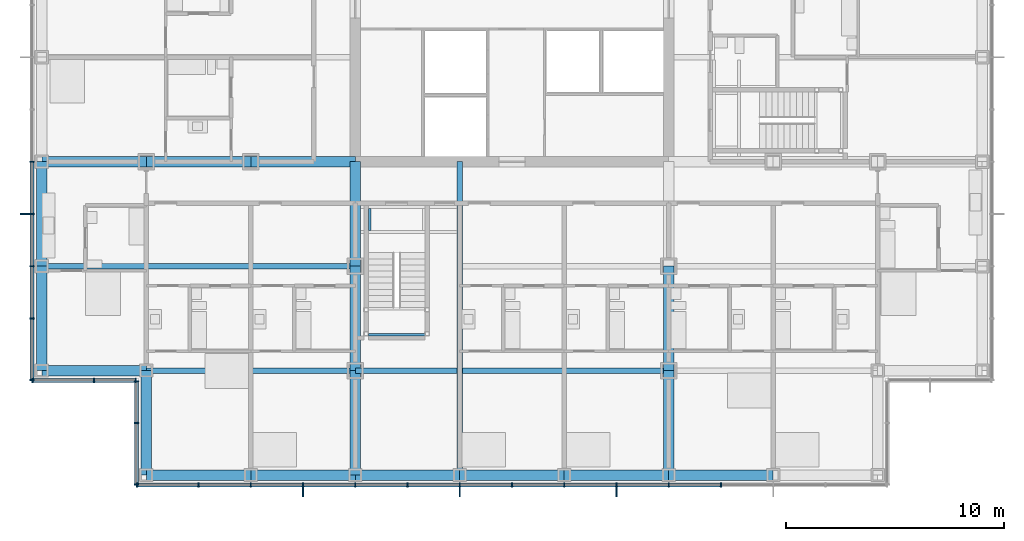
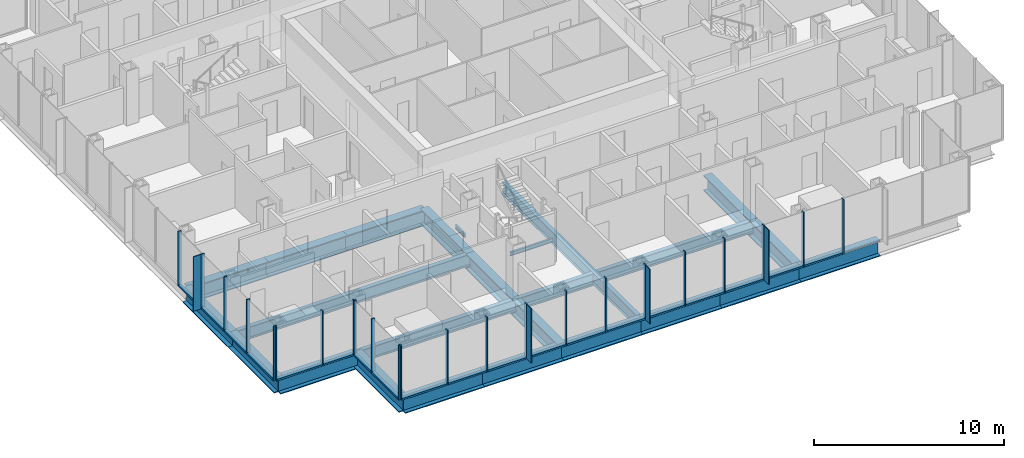
# One storey, part 6 of 22: 46 members, 25 beams, 4 elements without a shape of their own.
"""IFC4 building model written with IfcOpenShell, lengths in metres."""

from ifc_helpers import new_model, si_unit, direction, frame, origin, origin_2d, place, context, subcontext, project, spatial, rectangle, i_section, extrude, material, material_profile, profile_set, type_object, element, aggregate, save


model = new_model("IFC4")

# Units and contexts
model_context = context("Model", 3, precision=1e-05, world=origin(), true_north=direction((0.0, 1.0)))
body_context = subcontext(model_context, "Body", "Model", "MODEL_VIEW")
ifc_project = project(units=[si_unit("LENGTHUNIT", "METRE"), si_unit("AREAUNIT", "SQUARE_METRE"), si_unit("VOLUMEUNIT", "CUBIC_METRE"), si_unit("PLANEANGLEUNIT", "RADIAN"), si_unit("MASSUNIT", "GRAM", prefix="KILO")], contexts=[model_context])

# Site, building, storey
site_placement = place(None, origin())
site = spatial("IfcSite", under=ifc_project, at=site_placement, CompositionType="ELEMENT")
building_placement = place(site_placement, origin())
building = spatial("IfcBuilding", under=site, at=building_placement, Name="Kvirike Care Tower", CompositionType="ELEMENT")
storey_placement = place(building_placement, frame((0.0, 0.0, 72.5)))
storey = spatial("IfcBuildingStorey", under=building, at=storey_placement, Name="L19", CompositionType="ELEMENT", Elevation=72.5)

# Curtain wall, member
ifc_material_1 = material(Name="Anodised aluminium stick system", Category="aluminium")
curtain_wall_type = type_object("IfcCurtainWallType", Name="CW-A STICK CURTAIN WALL", PredefinedType="NOTDEFINED", material=ifc_material_1)
curtain_wall_1_placement = place(storey_placement, origin())
curtain_wall_1 = element("IfcCurtainWall", 1, at=curtain_wall_1_placement, inside=storey, type_object=curtain_wall_type, Name="Curtain wall L19 face 1", PredefinedType="NOTDEFINED")
ifc_material_2 = material(Name="Bronze anodised aluminium fin", Category="aluminium")
ifc_material_profile_1 = material_profile(ifc_material_2, rectangle(XDim=0.050048828125, YDim=0.449951171875, at=origin_2d()), Name="BRONZE FIN 450")
ifc_profile_set_1 = profile_set([ifc_material_profile_1], Name="Bronze anodised aluminium fin")
member_type_1 = type_object("IfcMemberType", Name="BRONZE FIN 450", PredefinedType="USERDEFINED", material=ifc_profile_set_1)
member_1_placement = place(storey_placement, frame((-0.77490234375, 26.39990234375, 0.0), z_axis=(0.0, 0.0, 1.0), x_axis=(0.0, -1.0, 0.0)))
member_1 = element("IfcMember", 2, at=member_1_placement, type_object=member_type_1, Name="Bronze fin L19 face 1.12", ObjectType="FIN", PredefinedType="USERDEFINED", context=body_context, shape_type="SweptSolid", body=[
    extrude(rectangle(XDim=0.050048828125, YDim=0.449951171875, at=origin_2d()), origin(), (0.0, 0.0, 1.0), 3.5),
])

# Curtain wall, members
curtain_wall_2_placement = place(storey_placement, origin())
curtain_wall_2 = element("IfcCurtainWall", 3, at=curtain_wall_2_placement, inside=storey, type_object=curtain_wall_type, Name="Curtain wall L19 face 4", PredefinedType="NOTDEFINED")
member_2_placement = place(storey_placement, frame((12.0, 13.625, 0.0), z_axis=(0.0, 0.0, 1.0), x_axis=(1.0, 0.0, 0.0)))
member_2 = element("IfcMember", 4, at=member_2_placement, type_object=member_type_1, Name="Bronze fin L19 face 4.4", ObjectType="FIN", PredefinedType="USERDEFINED", context=body_context, shape_type="SweptSolid", body=[
    extrude(rectangle(XDim=0.050048828125, YDim=0.449951171875, at=origin_2d()), origin(), (0.0, 0.0, 1.0), 3.5),
])
member_3_placement = place(storey_placement, frame((19.199951171875, 13.625, 0.0), z_axis=(0.0, 0.0, 1.0), x_axis=(1.0, 0.0, 0.0)))
member_3 = element("IfcMember", 5, at=member_3_placement, type_object=member_type_1, Name="Bronze fin L19 face 4.7", ObjectType="FIN", PredefinedType="USERDEFINED", context=body_context, shape_type="SweptSolid", body=[
    extrude(rectangle(XDim=0.050048828125, YDim=0.449951171875, at=origin_2d()), origin(), (0.0, 0.0, 1.0), 3.5),
])
member_4_placement = place(storey_placement, frame((26.39990234375, 13.625, 0.0), z_axis=(0.0, 0.0, 1.0), x_axis=(1.0, 0.0, 0.0)))
member_4 = element("IfcMember", 6, at=member_4_placement, type_object=member_type_1, Name="Bronze fin L19 face 4.10", ObjectType="FIN", PredefinedType="USERDEFINED", context=body_context, shape_type="SweptSolid", body=[
    extrude(rectangle(XDim=0.050048828125, YDim=0.449951171875, at=origin_2d()), origin(), (0.0, 0.0, 1.0), 3.5),
])

# Member
ifc_material_3 = material(Name="Bronze anodised aluminium mullion", Category="aluminium")
ifc_material_profile_2 = material_profile(ifc_material_3, rectangle(XDim=0.06494140625, YDim=0.199951171875, at=origin_2d()), Name="CW-A MULLION 65x200")
ifc_profile_set_2 = profile_set([ifc_material_profile_2], Name="Bronze anodised aluminium mullion")
member_type_2 = type_object("IfcMemberType", Name="CW-A MULLION 65x200", PredefinedType="MULLION", material=ifc_profile_set_2)
member_5_placement = place(storey_placement, frame((-0.449951171875, 28.800048828125, 0.0), z_axis=(0.0, 0.0, 1.0), x_axis=(0.0, -1.0, 0.0)))
member_5 = element("IfcMember", 7, at=member_5_placement, type_object=member_type_2, Name="CW-A mullion L19 face 1.11", PredefinedType="MULLION", context=body_context, shape_type="SweptSolid", body=[
    extrude(rectangle(XDim=0.06494140625, YDim=0.199951171875, at=origin_2d()), origin(), (0.0, 0.0, 1.0), 3.5),
])

member_6_placement = place(storey_placement, frame((-0.449951171875, 26.39990234375, 0.0), z_axis=(0.0, 0.0, 1.0), x_axis=(0.0, -1.0, 0.0)))
member_6 = element("IfcMember", 8, at=member_6_placement, type_object=member_type_2, Name="CW-A mullion L19 face 1.12", PredefinedType="MULLION", context=body_context, shape_type="SweptSolid", body=[
    extrude(rectangle(XDim=0.06494140625, YDim=0.199951171875, at=origin_2d()), origin(), (0.0, 0.0, 1.0), 3.5),
])

member_7_placement = place(storey_placement, frame((-0.449951171875, 24.0, 0.0), z_axis=(0.0, 0.0, 1.0), x_axis=(0.0, -1.0, 0.0)))
member_7 = element("IfcMember", 9, at=member_7_placement, type_object=member_type_2, Name="CW-A mullion L19 face 1.13", PredefinedType="MULLION", context=body_context, shape_type="SweptSolid", body=[
    extrude(rectangle(XDim=0.06494140625, YDim=0.199951171875, at=origin_2d()), origin(), (0.0, 0.0, 1.0), 3.5),
])

member_8_placement = place(storey_placement, frame((-0.449951171875, 21.60009765625, 0.0), z_axis=(0.0, 0.0, 1.0), x_axis=(0.0, -1.0, 0.0)))
member_8 = element("IfcMember", 10, at=member_8_placement, type_object=member_type_2, Name="CW-A mullion L19 face 1.14", PredefinedType="MULLION", context=body_context, shape_type="SweptSolid", body=[
    extrude(rectangle(XDim=0.06494140625, YDim=0.199951171875, at=origin_2d()), origin(), (0.0, 0.0, 1.0), 3.5),
])

member_9_placement = place(storey_placement, frame((-0.449951171875, 18.782470703125, 0.0), z_axis=(0.0, 0.0, 1.0), x_axis=(0.0, -1.0, 0.0)))
member_9 = element("IfcMember", 11, at=member_9_placement, type_object=member_type_2, Name="CW-A mullion L19 face 1.15", PredefinedType="MULLION", context=body_context, shape_type="SweptSolid", body=[
    extrude(rectangle(XDim=0.06494140625, YDim=0.199951171875, at=origin_2d()), origin(), (0.0, 0.0, 1.0), 3.5),
])

# Curtain wall, members
curtain_wall_3_placement = place(storey_placement, origin())
curtain_wall_3 = element("IfcCurtainWall", 12, at=curtain_wall_3_placement, inside=storey, type_object=curtain_wall_type, Name="Curtain wall L19 face 2", PredefinedType="NOTDEFINED")
member_10_placement = place(storey_placement, frame((-0.41748046875, 18.75, 0.0), z_axis=(0.0, 0.0, 1.0), x_axis=(1.0, 0.0, 0.0)))
member_10 = element("IfcMember", 13, at=member_10_placement, type_object=member_type_2, Name="CW-A mullion L19 face 2.1", PredefinedType="MULLION", context=body_context, shape_type="SweptSolid", body=[
    extrude(rectangle(XDim=0.06494140625, YDim=0.199951171875, at=origin_2d()), origin(), (0.0, 0.0, 1.0), 3.5),
])
member_11_placement = place(storey_placement, frame((2.39990234375, 18.75, 0.0), z_axis=(0.0, 0.0, 1.0), x_axis=(1.0, 0.0, 0.0)))
member_11 = element("IfcMember", 14, at=member_11_placement, type_object=member_type_2, Name="CW-A mullion L19 face 2.2", PredefinedType="MULLION", context=body_context, shape_type="SweptSolid", body=[
    extrude(rectangle(XDim=0.06494140625, YDim=0.199951171875, at=origin_2d()), origin(), (0.0, 0.0, 1.0), 3.5),
])
member_12_placement = place(storey_placement, frame((4.3173828125, 18.75, 0.0), z_axis=(0.0, 0.0, 1.0), x_axis=(1.0, 0.0, 0.0)))
member_12 = element("IfcMember", 15, at=member_12_placement, type_object=member_type_2, Name="CW-A mullion L19 face 2.3", PredefinedType="MULLION", context=body_context, shape_type="SweptSolid", body=[
    extrude(rectangle(XDim=0.06494140625, YDim=0.199951171875, at=origin_2d()), origin(), (0.0, 0.0, 1.0), 3.5),
])

curtain_wall_4_placement = place(storey_placement, origin())
curtain_wall_4 = element("IfcCurtainWall", 16, at=curtain_wall_4_placement, inside=storey, type_object=curtain_wall_type, Name="Curtain wall L19 face 3", PredefinedType="NOTDEFINED")
member_13_placement = place(storey_placement, frame((4.35009765625, 18.717529296875, 0.0), z_axis=(0.0, 0.0, 1.0), x_axis=(0.0, -1.0, 0.0)))
member_13 = element("IfcMember", 17, at=member_13_placement, type_object=member_type_2, Name="CW-A mullion L19 face 3.1", PredefinedType="MULLION", context=body_context, shape_type="SweptSolid", body=[
    extrude(rectangle(XDim=0.06494140625, YDim=0.199951171875, at=origin_2d()), origin(), (0.0, 0.0, 1.0), 3.5),
])
member_14_placement = place(storey_placement, frame((4.35009765625, 16.800048828125, 0.0), z_axis=(0.0, 0.0, 1.0), x_axis=(0.0, -1.0, 0.0)))
member_14 = element("IfcMember", 18, at=member_14_placement, type_object=member_type_2, Name="CW-A mullion L19 face 3.2", PredefinedType="MULLION", context=body_context, shape_type="SweptSolid", body=[
    extrude(rectangle(XDim=0.06494140625, YDim=0.199951171875, at=origin_2d()), origin(), (0.0, 0.0, 1.0), 3.5),
])
member_15_placement = place(storey_placement, frame((4.35009765625, 13.982421875, 0.0), z_axis=(0.0, 0.0, 1.0), x_axis=(0.0, -1.0, 0.0)))
member_15 = element("IfcMember", 19, at=member_15_placement, type_object=member_type_2, Name="CW-A mullion L19 face 3.3", PredefinedType="MULLION", context=body_context, shape_type="SweptSolid", body=[
    extrude(rectangle(XDim=0.06494140625, YDim=0.199951171875, at=origin_2d()), origin(), (0.0, 0.0, 1.0), 3.5),
])

# Member
member_16_placement = place(storey_placement, frame((4.382568359375, 13.949951171875, 0.0), z_axis=(0.0, 0.0, 1.0), x_axis=(1.0, 0.0, 0.0)))
member_16 = element("IfcMember", 20, at=member_16_placement, type_object=member_type_2, Name="CW-A mullion L19 face 4.1", PredefinedType="MULLION", context=body_context, shape_type="SweptSolid", body=[
    extrude(rectangle(XDim=0.06494140625, YDim=0.199951171875, at=origin_2d()), origin(), (0.0, 0.0, 1.0), 3.5),
])

member_17_placement = place(storey_placement, frame((7.199951171875, 13.949951171875, 0.0), z_axis=(0.0, 0.0, 1.0), x_axis=(1.0, 0.0, 0.0)))
member_17 = element("IfcMember", 21, at=member_17_placement, type_object=member_type_2, Name="CW-A mullion L19 face 4.2", PredefinedType="MULLION", context=body_context, shape_type="SweptSolid", body=[
    extrude(rectangle(XDim=0.06494140625, YDim=0.199951171875, at=origin_2d()), origin(), (0.0, 0.0, 1.0), 3.5),
])

member_18_placement = place(storey_placement, frame((9.60009765625, 13.949951171875, 0.0), z_axis=(0.0, 0.0, 1.0), x_axis=(1.0, 0.0, 0.0)))
member_18 = element("IfcMember", 22, at=member_18_placement, type_object=member_type_2, Name="CW-A mullion L19 face 4.3", PredefinedType="MULLION", context=body_context, shape_type="SweptSolid", body=[
    extrude(rectangle(XDim=0.06494140625, YDim=0.199951171875, at=origin_2d()), origin(), (0.0, 0.0, 1.0), 3.5),
])

member_19_placement = place(storey_placement, frame((12.0, 13.949951171875, 0.0), z_axis=(0.0, 0.0, 1.0), x_axis=(1.0, 0.0, 0.0)))
member_19 = element("IfcMember", 23, at=member_19_placement, type_object=member_type_2, Name="CW-A mullion L19 face 4.4", PredefinedType="MULLION", context=body_context, shape_type="SweptSolid", body=[
    extrude(rectangle(XDim=0.06494140625, YDim=0.199951171875, at=origin_2d()), origin(), (0.0, 0.0, 1.0), 3.5),
])

member_20_placement = place(storey_placement, frame((14.39990234375, 13.949951171875, 0.0), z_axis=(0.0, 0.0, 1.0), x_axis=(1.0, 0.0, 0.0)))
member_20 = element("IfcMember", 24, at=member_20_placement, type_object=member_type_2, Name="CW-A mullion L19 face 4.5", PredefinedType="MULLION", context=body_context, shape_type="SweptSolid", body=[
    extrude(rectangle(XDim=0.06494140625, YDim=0.199951171875, at=origin_2d()), origin(), (0.0, 0.0, 1.0), 3.5),
])

member_21_placement = place(storey_placement, frame((16.800048828125, 13.949951171875, 0.0), z_axis=(0.0, 0.0, 1.0), x_axis=(1.0, 0.0, 0.0)))
member_21 = element("IfcMember", 25, at=member_21_placement, type_object=member_type_2, Name="CW-A mullion L19 face 4.6", PredefinedType="MULLION", context=body_context, shape_type="SweptSolid", body=[
    extrude(rectangle(XDim=0.06494140625, YDim=0.199951171875, at=origin_2d()), origin(), (0.0, 0.0, 1.0), 3.5),
])

member_22_placement = place(storey_placement, frame((19.199951171875, 13.949951171875, 0.0), z_axis=(0.0, 0.0, 1.0), x_axis=(1.0, 0.0, 0.0)))
member_22 = element("IfcMember", 26, at=member_22_placement, type_object=member_type_2, Name="CW-A mullion L19 face 4.7", PredefinedType="MULLION", context=body_context, shape_type="SweptSolid", body=[
    extrude(rectangle(XDim=0.06494140625, YDim=0.199951171875, at=origin_2d()), origin(), (0.0, 0.0, 1.0), 3.5),
])

member_23_placement = place(storey_placement, frame((21.60009765625, 13.949951171875, 0.0), z_axis=(0.0, 0.0, 1.0), x_axis=(1.0, 0.0, 0.0)))
member_23 = element("IfcMember", 27, at=member_23_placement, type_object=member_type_2, Name="CW-A mullion L19 face 4.8", PredefinedType="MULLION", context=body_context, shape_type="SweptSolid", body=[
    extrude(rectangle(XDim=0.06494140625, YDim=0.199951171875, at=origin_2d()), origin(), (0.0, 0.0, 1.0), 3.5),
])

member_24_placement = place(storey_placement, frame((24.0, 13.949951171875, 0.0), z_axis=(0.0, 0.0, 1.0), x_axis=(1.0, 0.0, 0.0)))
member_24 = element("IfcMember", 28, at=member_24_placement, type_object=member_type_2, Name="CW-A mullion L19 face 4.9", PredefinedType="MULLION", context=body_context, shape_type="SweptSolid", body=[
    extrude(rectangle(XDim=0.06494140625, YDim=0.199951171875, at=origin_2d()), origin(), (0.0, 0.0, 1.0), 3.5),
])

member_25_placement = place(storey_placement, frame((26.39990234375, 13.949951171875, 0.0), z_axis=(0.0, 0.0, 1.0), x_axis=(1.0, 0.0, 0.0)))
member_25 = element("IfcMember", 29, at=member_25_placement, type_object=member_type_2, Name="CW-A mullion L19 face 4.10", PredefinedType="MULLION", context=body_context, shape_type="SweptSolid", body=[
    extrude(rectangle(XDim=0.06494140625, YDim=0.199951171875, at=origin_2d()), origin(), (0.0, 0.0, 1.0), 3.5),
])

member_26_placement = place(storey_placement, frame((28.800048828125, 13.949951171875, 0.0), z_axis=(0.0, 0.0, 1.0), x_axis=(1.0, 0.0, 0.0)))
member_26 = element("IfcMember", 30, at=member_26_placement, type_object=member_type_2, Name="CW-A mullion L19 face 4.11", PredefinedType="MULLION", context=body_context, shape_type="SweptSolid", body=[
    extrude(rectangle(XDim=0.06494140625, YDim=0.199951171875, at=origin_2d()), origin(), (0.0, 0.0, 1.0), 3.5),
])

member_27_placement = place(storey_placement, frame((31.199951171875, 13.949951171875, 0.0), z_axis=(0.0, 0.0, 1.0), x_axis=(1.0, 0.0, 0.0)))
member_27 = element("IfcMember", 31, at=member_27_placement, type_object=member_type_2, Name="CW-A mullion L19 face 4.12", PredefinedType="MULLION", context=body_context, shape_type="SweptSolid", body=[
    extrude(rectangle(XDim=0.06494140625, YDim=0.199951171875, at=origin_2d()), origin(), (0.0, 0.0, 1.0), 3.5),
])

ifc_material_4 = material(Name="Bronze anodised aluminium transom", Category="aluminium")
ifc_material_profile_3 = material_profile(ifc_material_4, rectangle(XDim=0.199951171875, YDim=0.10009765625, at=origin_2d()), Name="CW-A TRANSOM 200x100")
ifc_profile_set_3 = profile_set([ifc_material_profile_3], Name="Bronze anodised aluminium transom")
member_type_3 = type_object("IfcMemberType", Name="CW-A TRANSOM 200x100", PredefinedType="USERDEFINED", material=ifc_profile_set_3)
member_28_placement = place(storey_placement, frame((-0.449951171875, 28.767578125, 0.050048828125), z_axis=(0.0, -1.0, 0.0), x_axis=(1.0, 0.0, 0.0)))
member_28 = element("IfcMember", 32, at=member_28_placement, type_object=member_type_3, Name="CW-A sill transom L19 face 1.11", ObjectType="TRANSOM", PredefinedType="USERDEFINED", context=body_context, shape_type="SweptSolid", body=[
    extrude(rectangle(XDim=0.199951171875, YDim=0.10009765625, at=origin_2d()), origin(), (0.0, 0.0, 1.0), 2.3349609375),
])

member_29_placement = place(storey_placement, frame((-0.449951171875, 26.367431640625, 0.050048828125), z_axis=(0.0, -1.0, 0.0), x_axis=(1.0, 0.0, 0.0)))
member_29 = element("IfcMember", 33, at=member_29_placement, type_object=member_type_3, Name="CW-A sill transom L19 face 1.12", ObjectType="TRANSOM", PredefinedType="USERDEFINED", context=body_context, shape_type="SweptSolid", body=[
    extrude(rectangle(XDim=0.199951171875, YDim=0.10009765625, at=origin_2d()), origin(), (0.0, 0.0, 1.0), 2.3349609375),
])

member_30_placement = place(storey_placement, frame((-0.449951171875, 23.967529296875, 0.050048828125), z_axis=(0.0, -1.0, 0.0), x_axis=(1.0, 0.0, 0.0)))
member_30 = element("IfcMember", 34, at=member_30_placement, type_object=member_type_3, Name="CW-A sill transom L19 face 1.13", ObjectType="TRANSOM", PredefinedType="USERDEFINED", context=body_context, shape_type="SweptSolid", body=[
    extrude(rectangle(XDim=0.199951171875, YDim=0.10009765625, at=origin_2d()), origin(), (0.0, 0.0, 1.0), 2.3349609375),
])

member_31_placement = place(storey_placement, frame((-0.449951171875, 21.5673828125, 0.050048828125), z_axis=(0.0, -1.0, 0.0), x_axis=(1.0, 0.0, 0.0)))
member_31 = element("IfcMember", 35, at=member_31_placement, type_object=member_type_3, Name="CW-A sill transom L19 face 1.14", ObjectType="TRANSOM", PredefinedType="USERDEFINED", context=body_context, shape_type="SweptSolid", body=[
    extrude(rectangle(XDim=0.199951171875, YDim=0.10009765625, at=origin_2d()), origin(), (0.0, 0.0, 1.0), 2.75244140625),
])

aggregate(curtain_wall_1, [member_5, member_6, member_1, member_7, member_8, member_9, member_28, member_29, member_30, member_31])

member_32_placement = place(storey_placement, frame((-0.385009765625, 18.75, 0.050048828125), z_axis=(1.0, 0.0, 0.0), x_axis=(0.0, 1.0, 0.0)))
member_32 = element("IfcMember", 36, at=member_32_placement, type_object=member_type_3, Name="CW-A sill transom L19 face 2.1", ObjectType="TRANSOM", PredefinedType="USERDEFINED", context=body_context, shape_type="SweptSolid", body=[
    extrude(rectangle(XDim=0.199951171875, YDim=0.10009765625, at=origin_2d()), origin(), (0.0, 0.0, 1.0), 2.75244140625),
])

member_33_placement = place(storey_placement, frame((2.4326171875, 18.75, 0.050048828125), z_axis=(1.0, 0.0, 0.0), x_axis=(0.0, 1.0, 0.0)))
member_33 = element("IfcMember", 37, at=member_33_placement, type_object=member_type_3, Name="CW-A sill transom L19 face 2.2", ObjectType="TRANSOM", PredefinedType="USERDEFINED", context=body_context, shape_type="SweptSolid", body=[
    extrude(rectangle(XDim=0.199951171875, YDim=0.10009765625, at=origin_2d()), origin(), (0.0, 0.0, 1.0), 1.852294921875),
])

aggregate(curtain_wall_3, [member_10, member_11, member_12, member_32, member_33])

member_34_placement = place(storey_placement, frame((4.35009765625, 18.68505859375, 0.050048828125), z_axis=(0.0, -1.0, 0.0), x_axis=(1.0, 0.0, 0.0)))
member_34 = element("IfcMember", 38, at=member_34_placement, type_object=member_type_3, Name="CW-A sill transom L19 face 3.1", ObjectType="TRANSOM", PredefinedType="USERDEFINED", context=body_context, shape_type="SweptSolid", body=[
    extrude(rectangle(XDim=0.199951171875, YDim=0.10009765625, at=origin_2d()), origin(), (0.0, 0.0, 1.0), 1.8525390625),
])

member_35_placement = place(storey_placement, frame((4.35009765625, 16.767578125, 0.050048828125), z_axis=(0.0, -1.0, 0.0), x_axis=(1.0, 0.0, 0.0)))
member_35 = element("IfcMember", 39, at=member_35_placement, type_object=member_type_3, Name="CW-A sill transom L19 face 3.2", ObjectType="TRANSOM", PredefinedType="USERDEFINED", context=body_context, shape_type="SweptSolid", body=[
    extrude(rectangle(XDim=0.199951171875, YDim=0.10009765625, at=origin_2d()), origin(), (0.0, 0.0, 1.0), 2.752685546875),
])

aggregate(curtain_wall_4, [member_13, member_14, member_15, member_34, member_35])

member_36_placement = place(storey_placement, frame((4.4150390625, 13.949951171875, 0.050048828125), z_axis=(1.0, 0.0, 0.0), x_axis=(0.0, 1.0, 0.0)))
member_36 = element("IfcMember", 40, at=member_36_placement, type_object=member_type_3, Name="CW-A sill transom L19 face 4.1", ObjectType="TRANSOM", PredefinedType="USERDEFINED", context=body_context, shape_type="SweptSolid", body=[
    extrude(rectangle(XDim=0.199951171875, YDim=0.10009765625, at=origin_2d()), origin(), (0.0, 0.0, 1.0), 2.75244140625),
])

member_37_placement = place(storey_placement, frame((7.232421875, 13.949951171875, 0.050048828125), z_axis=(1.0, 0.0, 0.0), x_axis=(0.0, 1.0, 0.0)))
member_37 = element("IfcMember", 41, at=member_37_placement, type_object=member_type_3, Name="CW-A sill transom L19 face 4.2", ObjectType="TRANSOM", PredefinedType="USERDEFINED", context=body_context, shape_type="SweptSolid", body=[
    extrude(rectangle(XDim=0.199951171875, YDim=0.10009765625, at=origin_2d()), origin(), (0.0, 0.0, 1.0), 2.3349609375),
])

member_38_placement = place(storey_placement, frame((9.632568359375, 13.949951171875, 0.050048828125), z_axis=(1.0, 0.0, 0.0), x_axis=(0.0, 1.0, 0.0)))
member_38 = element("IfcMember", 42, at=member_38_placement, type_object=member_type_3, Name="CW-A sill transom L19 face 4.3", ObjectType="TRANSOM", PredefinedType="USERDEFINED", context=body_context, shape_type="SweptSolid", body=[
    extrude(rectangle(XDim=0.199951171875, YDim=0.10009765625, at=origin_2d()), origin(), (0.0, 0.0, 1.0), 2.3349609375),
])

member_39_placement = place(storey_placement, frame((12.032470703125, 13.949951171875, 0.050048828125), z_axis=(1.0, 0.0, 0.0), x_axis=(0.0, 1.0, 0.0)))
member_39 = element("IfcMember", 43, at=member_39_placement, type_object=member_type_3, Name="CW-A sill transom L19 face 4.4", ObjectType="TRANSOM", PredefinedType="USERDEFINED", context=body_context, shape_type="SweptSolid", body=[
    extrude(rectangle(XDim=0.199951171875, YDim=0.10009765625, at=origin_2d()), origin(), (0.0, 0.0, 1.0), 2.3349609375),
])

member_40_placement = place(storey_placement, frame((14.4326171875, 13.949951171875, 0.050048828125), z_axis=(1.0, 0.0, 0.0), x_axis=(0.0, 1.0, 0.0)))
member_40 = element("IfcMember", 44, at=member_40_placement, type_object=member_type_3, Name="CW-A sill transom L19 face 4.5", ObjectType="TRANSOM", PredefinedType="USERDEFINED", context=body_context, shape_type="SweptSolid", body=[
    extrude(rectangle(XDim=0.199951171875, YDim=0.10009765625, at=origin_2d()), origin(), (0.0, 0.0, 1.0), 2.3349609375),
])

member_41_placement = place(storey_placement, frame((16.83251953125, 13.949951171875, 0.050048828125), z_axis=(1.0, 0.0, 0.0), x_axis=(0.0, 1.0, 0.0)))
member_41 = element("IfcMember", 45, at=member_41_placement, type_object=member_type_3, Name="CW-A sill transom L19 face 4.6", ObjectType="TRANSOM", PredefinedType="USERDEFINED", context=body_context, shape_type="SweptSolid", body=[
    extrude(rectangle(XDim=0.199951171875, YDim=0.10009765625, at=origin_2d()), origin(), (0.0, 0.0, 1.0), 2.3349609375),
])

member_42_placement = place(storey_placement, frame((19.232421875, 13.949951171875, 0.050048828125), z_axis=(1.0, 0.0, 0.0), x_axis=(0.0, 1.0, 0.0)))
member_42 = element("IfcMember", 46, at=member_42_placement, type_object=member_type_3, Name="CW-A sill transom L19 face 4.7", ObjectType="TRANSOM", PredefinedType="USERDEFINED", context=body_context, shape_type="SweptSolid", body=[
    extrude(rectangle(XDim=0.199951171875, YDim=0.10009765625, at=origin_2d()), origin(), (0.0, 0.0, 1.0), 2.3349609375),
])

member_43_placement = place(storey_placement, frame((21.632568359375, 13.949951171875, 0.050048828125), z_axis=(1.0, 0.0, 0.0), x_axis=(0.0, 1.0, 0.0)))
member_43 = element("IfcMember", 47, at=member_43_placement, type_object=member_type_3, Name="CW-A sill transom L19 face 4.8", ObjectType="TRANSOM", PredefinedType="USERDEFINED", context=body_context, shape_type="SweptSolid", body=[
    extrude(rectangle(XDim=0.199951171875, YDim=0.10009765625, at=origin_2d()), origin(), (0.0, 0.0, 1.0), 2.3349609375),
])

member_44_placement = place(storey_placement, frame((24.032470703125, 13.949951171875, 0.050048828125), z_axis=(1.0, 0.0, 0.0), x_axis=(0.0, 1.0, 0.0)))
member_44 = element("IfcMember", 48, at=member_44_placement, type_object=member_type_3, Name="CW-A sill transom L19 face 4.9", ObjectType="TRANSOM", PredefinedType="USERDEFINED", context=body_context, shape_type="SweptSolid", body=[
    extrude(rectangle(XDim=0.199951171875, YDim=0.10009765625, at=origin_2d()), origin(), (0.0, 0.0, 1.0), 2.3349609375),
])

member_45_placement = place(storey_placement, frame((26.4326171875, 13.949951171875, 0.050048828125), z_axis=(1.0, 0.0, 0.0), x_axis=(0.0, 1.0, 0.0)))
member_45 = element("IfcMember", 49, at=member_45_placement, type_object=member_type_3, Name="CW-A sill transom L19 face 4.10", ObjectType="TRANSOM", PredefinedType="USERDEFINED", context=body_context, shape_type="SweptSolid", body=[
    extrude(rectangle(XDim=0.199951171875, YDim=0.10009765625, at=origin_2d()), origin(), (0.0, 0.0, 1.0), 2.3349609375),
])

member_46_placement = place(storey_placement, frame((28.83251953125, 13.949951171875, 0.050048828125), z_axis=(1.0, 0.0, 0.0), x_axis=(0.0, 1.0, 0.0)))
member_46 = element("IfcMember", 50, at=member_46_placement, type_object=member_type_3, Name="CW-A sill transom L19 face 4.11", ObjectType="TRANSOM", PredefinedType="USERDEFINED", context=body_context, shape_type="SweptSolid", body=[
    extrude(rectangle(XDim=0.199951171875, YDim=0.10009765625, at=origin_2d()), origin(), (0.0, 0.0, 1.0), 2.3349609375),
])

aggregate(curtain_wall_2, [member_16, member_17, member_18, member_19, member_2, member_20, member_21, member_22, member_3, member_23, member_24, member_25, member_4, member_26, member_27, member_36, member_37, member_38, member_39, member_40, member_41, member_42, member_43, member_44, member_45, member_46])

# Beams
ifc_material_5 = material(Name="Steel S355", Category="steel")
ifc_material_profile_4 = material_profile(ifc_material_5, i_section(OverallWidth=0.26806640625, OverallDepth=0.77001953125, WebThickness=0.015625, FlangeThickness=0.025390625, FilletRadius=0.01708984375, at=origin_2d()), Name="IPE 750x196")
ifc_profile_set_4 = profile_set([ifc_material_profile_4], Name="Steel S355")
beam_type_1 = type_object("IfcBeamType", Name="FLOOR BEAM IPE 750x196", PredefinedType="BEAM", material=ifc_profile_set_4)
beam_1_placement = place(storey_placement, frame((4.800048828125, 19.199951171875, -0.554931640625), z_axis=(1.0, 0.0, 0.0), x_axis=(0.0, 1.0, 0.0)))
element("IfcBeam", 51, at=beam_1_placement, inside=storey, type_object=beam_type_1, Name="Floor Beam E4-E6 L19", PredefinedType="BEAM", context=body_context, shape_type="SweptSolid", body=[
    extrude(i_section(OverallWidth=0.26806640625, OverallDepth=0.77001953125, WebThickness=0.015625, FlangeThickness=0.025390625, FilletRadius=0.01708984375, at=origin_2d()), origin(), (0.0, 0.0, 1.0), 9.599853515625),
])
beam_2_placement = place(storey_placement, frame((14.39990234375, 19.199951171875, -0.554931640625), z_axis=(1.0, 0.0, 0.0), x_axis=(0.0, 1.0, 0.0)))
element("IfcBeam", 52, at=beam_2_placement, inside=storey, type_object=beam_type_1, Name="Floor Beam E6-E7 L19", PredefinedType="BEAM", context=body_context, shape_type="SweptSolid", body=[
    extrude(i_section(OverallWidth=0.26806640625, OverallDepth=0.77001953125, WebThickness=0.015625, FlangeThickness=0.025390625, FilletRadius=0.01708984375, at=origin_2d()), origin(), (0.0, 0.0, 1.0), 4.666015625),
])
beam_3_placement = place(storey_placement, frame((19.333984375, 19.199951171875, -0.554931640625), z_axis=(1.0, 0.0, 0.0), x_axis=(0.0, 1.0, 0.0)))
element("IfcBeam", 53, at=beam_3_placement, inside=storey, type_object=beam_type_1, Name="Floor Beam E7-E9 L19", PredefinedType="BEAM", context=body_context, shape_type="SweptSolid", body=[
    extrude(i_section(OverallWidth=0.26806640625, OverallDepth=0.77001953125, WebThickness=0.015625, FlangeThickness=0.025390625, FilletRadius=0.01708984375, at=origin_2d()), origin(), (0.0, 0.0, 1.0), 9.466064453125),
])
beam_4_placement = place(storey_placement, frame((0.0, 24.0, -0.554931640625), z_axis=(1.0, 0.0, 0.0), x_axis=(0.0, 1.0, 0.0)))
element("IfcBeam", 54, at=beam_4_placement, inside=storey, type_object=beam_type_1, Name="Floor Beam F3-F6 L19", PredefinedType="BEAM", context=body_context, shape_type="SweptSolid", body=[
    extrude(i_section(OverallWidth=0.26806640625, OverallDepth=0.77001953125, WebThickness=0.015625, FlangeThickness=0.025390625, FilletRadius=0.01708984375, at=origin_2d()), origin(), (0.0, 0.0, 1.0), 14.39990234375),
])
beam_5_placement = place(storey_placement, frame((19.199951171875, 14.39990234375, -0.554931640625), z_axis=(0.0, 1.0, 0.0), x_axis=(-1.0, 0.0, 0.0)))
element("IfcBeam", 55, at=beam_5_placement, inside=storey, type_object=beam_type_1, Name="Floor Beam D7-G7 L19", PredefinedType="BEAM", context=body_context, shape_type="SweptSolid", body=[
    extrude(i_section(OverallWidth=0.26806640625, OverallDepth=0.77001953125, WebThickness=0.015625, FlangeThickness=0.025390625, FilletRadius=0.01708984375, at=origin_2d()), origin(), (0.0, 0.0, 1.0), 14.400146484375),
])
ifc_material_6 = material(Name="Steel S355", Category="steel")
ifc_material_profile_5 = material_profile(ifc_material_6, i_section(OverallWidth=0.5, OverallDepth=1.0, WebThickness=0.030029296875, FlangeThickness=0.06005859375, at=origin_2d()), Name="PG 1000x500x30x60")
ifc_profile_set_5 = profile_set([ifc_material_profile_5], Name="Steel S355")
beam_type_2 = type_object("IfcBeamType", Name="FRAME BEAM PG 1000x500x30x60", PredefinedType="BEAM", material=ifc_profile_set_5)
for number, where, z_axis, x_axis, name in (
    (56, (0.0, 28.800048828125, -0.669921875), (1.0, 0.0, 0.0), (0.0, 1.0, 0.0), "Frame Beam G3-G4 L19"),
    (57, (4.800048828125, 28.800048828125, -0.669921875), (1.0, 0.0, 0.0), (0.0, 1.0, 0.0), "Frame Beam G4-G5 L19"),
):
    element("IfcBeam", number, at=place(storey_placement, frame(where, z_axis=z_axis, x_axis=x_axis)), inside=storey, type_object=beam_type_2, Name=name, PredefinedType="BEAM", context=body_context, shape_type="SweptSolid", body=[
        extrude(i_section(OverallWidth=0.5, OverallDepth=1.0, WebThickness=0.030029296875, FlangeThickness=0.06005859375, at=origin_2d()), origin(), (0.0, 0.0, 1.0), 4.800048828125),
    ])
beam_6_placement = place(storey_placement, frame((9.60009765625, 28.800048828125, -0.669921875), z_axis=(1.0, 0.0, 0.0), x_axis=(0.0, 1.0, 0.0)))
element("IfcBeam", 58, at=beam_6_placement, inside=storey, type_object=beam_type_2, Name="Frame Beam G5-G6 L19", PredefinedType="BEAM", context=body_context, shape_type="SweptSolid", body=[
    extrude(i_section(OverallWidth=0.5, OverallDepth=1.0, WebThickness=0.030029296875, FlangeThickness=0.06005859375, at=origin_2d()), origin(), (0.0, 0.0, 1.0), 4.7998046875),
])
for number, where, z_axis, x_axis, name in (
    (59, (14.39990234375, 14.39990234375, -0.669921875), (0.0, 1.0, 0.0), (-1.0, 0.0, 0.0), "Frame Beam D6-E6 L19"),
    (60, (14.39990234375, 19.199951171875, -0.669921875), (0.0, 1.0, 0.0), (-1.0, 0.0, 0.0), "Frame Beam E6-F6 L19"),
    (61, (14.39990234375, 24.0, -0.669921875), (0.0, 1.0, 0.0), (-1.0, 0.0, 0.0), "Frame Beam F6-G6 L19"),
    (62, (28.800048828125, 14.39990234375, -0.669921875), (0.0, 1.0, 0.0), (-1.0, 0.0, 0.0), "Frame Beam D9-E9 L19"),
    (63, (28.800048828125, 19.199951171875, -0.669921875), (0.0, 1.0, 0.0), (-1.0, 0.0, 0.0), "Frame Beam E9-F9 L19"),
):
    element("IfcBeam", number, at=place(storey_placement, frame(where, z_axis=z_axis, x_axis=x_axis)), inside=storey, type_object=beam_type_2, Name=name, PredefinedType="BEAM", context=body_context, shape_type="SweptSolid", body=[
        extrude(i_section(OverallWidth=0.5, OverallDepth=1.0, WebThickness=0.030029296875, FlangeThickness=0.06005859375, at=origin_2d()), origin(), (0.0, 0.0, 1.0), 4.800048828125),
    ])
ifc_material_7 = material(Name="Steel S355", Category="steel")
ifc_material_profile_6 = material_profile(ifc_material_7, i_section(OverallWidth=0.5, OverallDepth=1.0, WebThickness=0.030029296875, FlangeThickness=0.06005859375, at=origin_2d()), Name="PG 1000x500x30x60")
ifc_profile_set_6 = profile_set([ifc_material_profile_6], Name="Steel S355")
beam_type_3 = type_object("IfcBeamType", Name="SPANDREL PG 1000x500x30x60", PredefinedType="SPANDREL", material=ifc_profile_set_6)
beam_7_placement = place(storey_placement, frame((4.800048828125, 14.39990234375, -0.669921875), z_axis=(1.0, 0.0, 0.0), x_axis=(0.0, 1.0, 0.0)))
element("IfcBeam", 64, at=beam_7_placement, inside=storey, type_object=beam_type_3, Name="Spandrel D4-D5 L19", PredefinedType="SPANDREL", context=body_context, shape_type="SweptSolid", body=[
    extrude(i_section(OverallWidth=0.5, OverallDepth=1.0, WebThickness=0.030029296875, FlangeThickness=0.06005859375, at=origin_2d()), origin(), (0.0, 0.0, 1.0), 4.800048828125),
])
beam_8_placement = place(storey_placement, frame((9.60009765625, 14.39990234375, -0.669921875), z_axis=(1.0, 0.0, 0.0), x_axis=(0.0, 1.0, 0.0)))
element("IfcBeam", 65, at=beam_8_placement, inside=storey, type_object=beam_type_3, Name="Spandrel D5-D6 L19", PredefinedType="SPANDREL", context=body_context, shape_type="SweptSolid", body=[
    extrude(i_section(OverallWidth=0.5, OverallDepth=1.0, WebThickness=0.030029296875, FlangeThickness=0.06005859375, at=origin_2d()), origin(), (0.0, 0.0, 1.0), 4.7998046875),
])
for number, where, z_axis, x_axis, name in (
    (66, (14.39990234375, 14.39990234375, -0.669921875), (1.0, 0.0, 0.0), (0.0, 1.0, 0.0), "Spandrel D6-D7 L19"),
    (67, (19.199951171875, 14.39990234375, -0.669921875), (1.0, 0.0, 0.0), (0.0, 1.0, 0.0), "Spandrel D7-D8 L19"),
    (68, (24.0, 14.39990234375, -0.669921875), (1.0, 0.0, 0.0), (0.0, 1.0, 0.0), "Spandrel D8-D9 L19"),
    (69, (28.800048828125, 14.39990234375, -0.669921875), (1.0, 0.0, 0.0), (0.0, 1.0, 0.0), "Spandrel D9-D10 L19"),
    (70, (0.0, 19.199951171875, -0.669921875), (1.0, 0.0, 0.0), (0.0, 1.0, 0.0), "Spandrel E3-E4 L19"),
    (71, (0.0, 19.199951171875, -0.669921875), (0.0, 1.0, 0.0), (-1.0, 0.0, 0.0), "Spandrel E3-F3 L19"),
    (72, (0.0, 24.0, -0.669921875), (0.0, 1.0, 0.0), (-1.0, 0.0, 0.0), "Spandrel F3-G3 L19"),
    (73, (4.800048828125, 14.39990234375, -0.669921875), (0.0, 1.0, 0.0), (-1.0, 0.0, 0.0), "Spandrel D4-E4 L19"),
):
    element("IfcBeam", number, at=place(storey_placement, frame(where, z_axis=z_axis, x_axis=x_axis)), inside=storey, type_object=beam_type_3, Name=name, PredefinedType="SPANDREL", context=body_context, shape_type="SweptSolid", body=[
        extrude(i_section(OverallWidth=0.5, OverallDepth=1.0, WebThickness=0.030029296875, FlangeThickness=0.06005859375, at=origin_2d()), origin(), (0.0, 0.0, 1.0), 4.800048828125),
    ])
ifc_material_8 = material(Name="Steel S355", Category="steel")
ifc_material_profile_7 = material_profile(ifc_material_8, i_section(OverallWidth=0.1201171875, OverallDepth=0.239990234375, WebThickness=0.006103515625, FlangeThickness=0.009765625, FilletRadius=0.014892578125, at=origin_2d()), Name="IPE 240")
ifc_profile_set_7 = profile_set([ifc_material_profile_7], Name="Steel S355")
beam_type_4 = type_object("IfcBeamType", Name="STAIR LANDING BEAM IPE 240", PredefinedType="BEAM", material=ifc_profile_set_7)
beam_9_placement = place(storey_placement, frame((15.0, 20.860107421875, 1.429931640625), z_axis=(1.0, 0.0, 0.0), x_axis=(0.0, 1.0, 0.0)))
element("IfcBeam", 74, at=beam_9_placement, inside=storey, type_object=beam_type_4, Name="Stair 5 landing beam back L19", PredefinedType="BEAM", context=body_context, shape_type="SweptSolid", body=[
    extrude(i_section(OverallWidth=0.1201171875, OverallDepth=0.239990234375, WebThickness=0.006103515625, FlangeThickness=0.009765625, FilletRadius=0.014892578125, at=origin_2d()), origin(), (0.0, 0.0, 1.0), 2.60009765625),
])
beam_10_placement = place(storey_placement, frame((15.06005859375, 25.64990234375, -0.320068359375), z_axis=(0.0, 1.0, 0.0), x_axis=(-1.0, 0.0, 0.0)))
element("IfcBeam", 75, at=beam_10_placement, inside=storey, type_object=beam_type_4, Name="Stair 5 landing edge beam 1 L19", PredefinedType="BEAM", context=body_context, shape_type="SweptSolid", body=[
    extrude(i_section(OverallWidth=0.1201171875, OverallDepth=0.239990234375, WebThickness=0.006103515625, FlangeThickness=0.009765625, FilletRadius=0.014892578125, at=origin_2d()), origin(), (0.0, 0.0, 1.0), 1.0),
])

save(model, "model.ifc")
